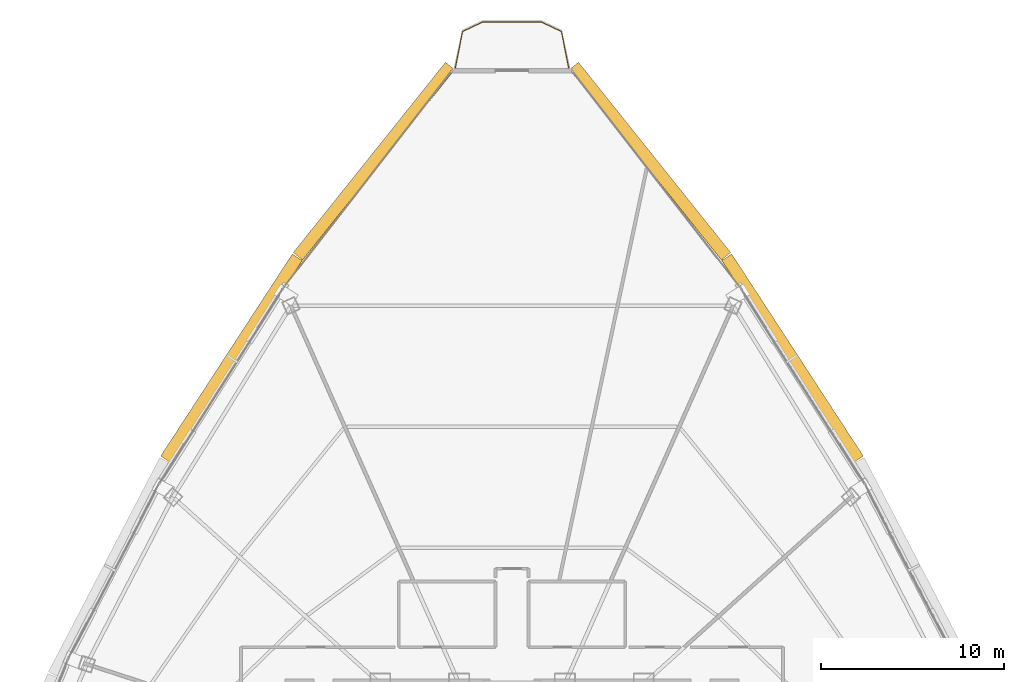
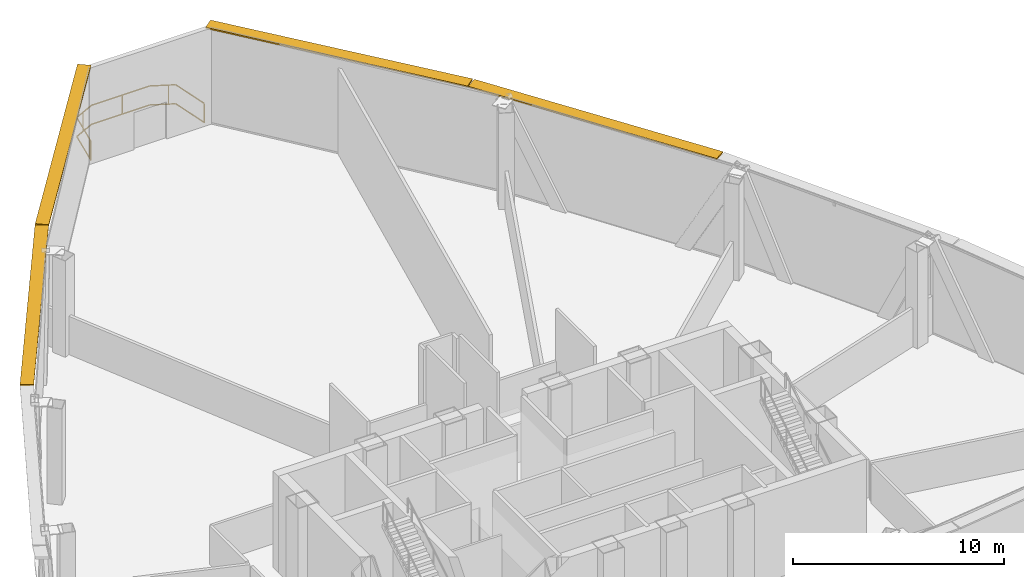
# One storey, part 33 of 33: 4 shading devices, 1 railing.
"""IFC4 building model written with IfcOpenShell, lengths in metres."""

from ifc_helpers import new_model, si_unit, direction, frame, origin, origin_2d, place, context, subcontext, project, spatial, rectangle, extrude, source, transform, mapped, material, layer, layer_set, type_object, element, save


model = new_model("IFC4")

# Units and contexts
model_context = context("Model", 3, precision=1e-05, world=origin(), true_north=direction((0.0, 1.0)))
body_context = subcontext(model_context, "Body", "Model", "MODEL_VIEW")
ifc_project = project(units=[si_unit("LENGTHUNIT", "METRE"), si_unit("AREAUNIT", "SQUARE_METRE"), si_unit("VOLUMEUNIT", "CUBIC_METRE"), si_unit("PLANEANGLEUNIT", "RADIAN"), si_unit("MASSUNIT", "GRAM", prefix="KILO"), si_unit("THERMODYNAMICTEMPERATUREUNIT", "KELVIN"), si_unit("POWERUNIT", "WATT")], contexts=[model_context])

# Site, building, storey
site_placement = place(None, origin())
site = spatial("IfcSite", under=ifc_project, at=site_placement, CompositionType="ELEMENT")
building_placement = place(site_placement, origin())
building = spatial("IfcBuilding", under=site, at=building_placement, Name="Yunzhuo Pagoda Commons", CompositionType="ELEMENT")
storey_placement = place(building_placement, frame((0.0, 0.0, 314.860107421875)))
storey = spatial("IfcBuildingStorey", under=building, at=storey_placement, Name="L79", CompositionType="ELEMENT", Elevation=314.860107421875)

# Railing
ifc_material = material(Name="Anodized aluminium 6063-T6", Category="aluminium")
railing_type = type_object("IfcRailingType", Name="RL-BAL1 Exterior Terrace & Balcony Balustrade 1150", PredefinedType="BALUSTRADE", material=ifc_material)
railing_placement = place(storey_placement, frame((51.110595703125, 73.916015625, 0.0)))
element("IfcRailing", 1, at=railing_placement, inside=storey, type_object=railing_type, Name="L79 corner balcony balustrade V3", PredefinedType="BALUSTRADE", context=body_context, shape_type="SweptSolid", body=[
    extrude(rectangle(XDim=0.048095703125, YDim=0.048095703125, at=origin_2d()), frame((0.0, 0.0, 1.1259765625), z_axis=(-0.194223156668, 0.980957371864, 0.0), x_axis=(-0.980957371864, -0.194223156668, 0.0)), (0.0, 0.0, 1.0), 2.05908203125),
    extrude(rectangle(XDim=0.048095703125, YDim=0.048095703125, at=origin_2d()), frame((0.0, 0.0, 0.02392578125), z_axis=(-0.194223156668, 0.980957371864, 0.0), x_axis=(-0.980957371864, -0.194223156668, 0.0)), (0.0, 0.0, 1.0), 2.05908203125),
    extrude(rectangle(XDim=0.048095703125, YDim=0.048095703125, at=origin_2d()), frame((-0.39990234375, 2.019775390625, 1.1259765625), z_axis=(-0.903221951483, 0.42917374845, 0.0), x_axis=(-0.42917374845, -0.903221951483, 0.0)), (0.0, 0.0, 1.0), 1.235107421875),
    extrude(rectangle(XDim=0.048095703125, YDim=0.048095703125, at=origin_2d()), frame((-0.39990234375, 2.019775390625, 0.02392578125), z_axis=(-0.903221951483, 0.42917374845, 0.0), x_axis=(-0.42917374845, -0.903221951483, 0.0)), (0.0, 0.0, 1.0), 1.235107421875),
    extrude(rectangle(XDim=0.048095703125, YDim=0.048095703125, at=origin_2d()), frame((-1.515380859375, 2.5498046875, 1.1259765625), z_axis=(-1.0, 0.0, 0.0), x_axis=(0.0, -1.0, 0.0)), (0.0, 0.0, 1.0), 3.1904296875),
    extrude(rectangle(XDim=0.048095703125, YDim=0.048095703125, at=origin_2d()), frame((-1.515380859375, 2.5498046875, 0.02392578125), z_axis=(-1.0, 0.0, 0.0), x_axis=(0.0, -1.0, 0.0)), (0.0, 0.0, 1.0), 3.1904296875),
    extrude(rectangle(XDim=0.048095703125, YDim=0.048095703125, at=origin_2d()), frame((-4.705810546875, 2.5498046875, 1.1259765625), z_axis=(-0.903221951483, -0.42917374845, 0.0), x_axis=(0.42917374845, -0.903221951483, 0.0)), (0.0, 0.0, 1.0), 1.235107421875),
    extrude(rectangle(XDim=0.048095703125, YDim=0.048095703125, at=origin_2d()), frame((-4.705810546875, 2.5498046875, 0.02392578125), z_axis=(-0.903221951483, -0.42917374845, 0.0), x_axis=(0.42917374845, -0.903221951483, 0.0)), (0.0, 0.0, 1.0), 1.235107421875),
    extrude(rectangle(XDim=0.048095703125, YDim=0.048095703125, at=origin_2d()), frame((-5.8212890625, 2.019775390625, 1.1259765625), z_axis=(-0.194223156668, -0.980957371864, 0.0), x_axis=(0.980957371864, -0.194223156668, 0.0)), (0.0, 0.0, 1.0), 2.05908203125),
    extrude(rectangle(XDim=0.048095703125, YDim=0.048095703125, at=origin_2d()), frame((-5.8212890625, 2.019775390625, 0.02392578125), z_axis=(-0.194223156668, -0.980957371864, 0.0), x_axis=(0.980957371864, -0.194223156668, 0.0)), (0.0, 0.0, 1.0), 2.05908203125),
    extrude(rectangle(XDim=0.0419921875, YDim=0.0419921875, at=origin_2d()), origin(), (0.0, 0.0, 1.0), 1.101806640625),
    extrude(rectangle(XDim=0.0419921875, YDim=0.0419921875, at=origin_2d()), frame((-0.7080078125, 2.166015625, 0.0)), (0.0, 0.0, 1.0), 1.101806640625),
    extrude(rectangle(XDim=0.0419921875, YDim=0.0419921875, at=origin_2d()), frame((-3.021484375, 2.5498046875, 0.0)), (0.0, 0.0, 1.0), 1.101806640625),
    extrude(rectangle(XDim=0.0419921875, YDim=0.0419921875, at=origin_2d()), frame((-5.35205078125, 2.24267578125, 0.0)), (0.0, 0.0, 1.0), 1.101806640625),
    extrude(rectangle(XDim=0.0419921875, YDim=0.0419921875, at=origin_2d()), frame((-6.1865234375, 0.175048828125, 0.0)), (0.0, 0.0, 1.0), 1.101806640625),
    extrude(rectangle(XDim=0.0419921875, YDim=0.0419921875, at=origin_2d()), frame((-6.22119140625, 0.0, 0.0)), (0.0, 0.0, 1.0), 1.101806640625),
])

# Shading devices
ifc_layer = layer(ifc_material, 0.080078125)
ifc_layer_set = layer_set([ifc_layer], Name="Anodized aluminium 6063-T6")
shading_device_type = type_object("IfcShadingDeviceType", Name="SH-SUN1 Pagoda Horizontal Sunshade Eave 650", PredefinedType="USERDEFINED", material=ifc_layer_set)
shared_shape_1 = source(origin(), body_context, "Body", "SweptSolid", [
    extrude(rectangle(XDim=13.35009765625, YDim=0.64990234375, at=origin_2d()), origin(), (0.0, 0.0, 1.0), 0.080078125),
])
for number, where, z_axis, x_axis, name in (
    (2, (55.559326171875, 68.8369140625, 5.48974609375), (0.0, 0.0, 1.0), (-0.624520471688, 0.781008438138, 0.0), "L79 horizontal pagoda sunshade eave F2.4"),
    (3, (40.440673828125, 68.8369140625, 5.48974609375), (0.0, 0.0, 1.0), (-0.624520471688, -0.781008438138, 0.0), "L79 horizontal pagoda sunshade eave F3.1"),
):
    element("IfcShadingDevice", number, at=place(storey_placement, frame(where, z_axis=z_axis, x_axis=x_axis)), inside=storey, type_object=shading_device_type, Name=name, ObjectType="SUNSHADE", PredefinedType="USERDEFINED", context=body_context, shape_type="MappedRepresentation", body=[
        mapped(shared_shape_1, transform((0.0, 0.0, 0.0), scale=1.0)),
    ])
shared_shape_2 = source(origin(), body_context, "Body", "SweptSolid", [
    extrude(rectangle(XDim=13.22314453125, YDim=0.64990234375, at=origin_2d()), origin(), (0.0, 0.0, 1.0), 0.080078125),
])
for number, where, z_axis, x_axis, name in (
    (4, (63.373779296875, 58.03271484375, 5.48974609375), (0.0, 0.0, 1.0), (-0.545853380833, 0.837880711458, 0.0), "L79 horizontal pagoda sunshade eave F2.3"),
    (5, (32.626220703125, 58.03271484375, 5.48974609375), (0.0, 0.0, 1.0), (-0.545853380833, -0.837880711458, 0.0), "L79 horizontal pagoda sunshade eave F3.2"),
):
    element("IfcShadingDevice", number, at=place(storey_placement, frame(where, z_axis=z_axis, x_axis=x_axis)), inside=storey, type_object=shading_device_type, Name=name, ObjectType="SUNSHADE", PredefinedType="USERDEFINED", context=body_context, shape_type="MappedRepresentation", body=[
        mapped(shared_shape_2, transform((0.0, 0.0, 0.0), scale=1.0)),
    ])

save(model, "model.ifc")
